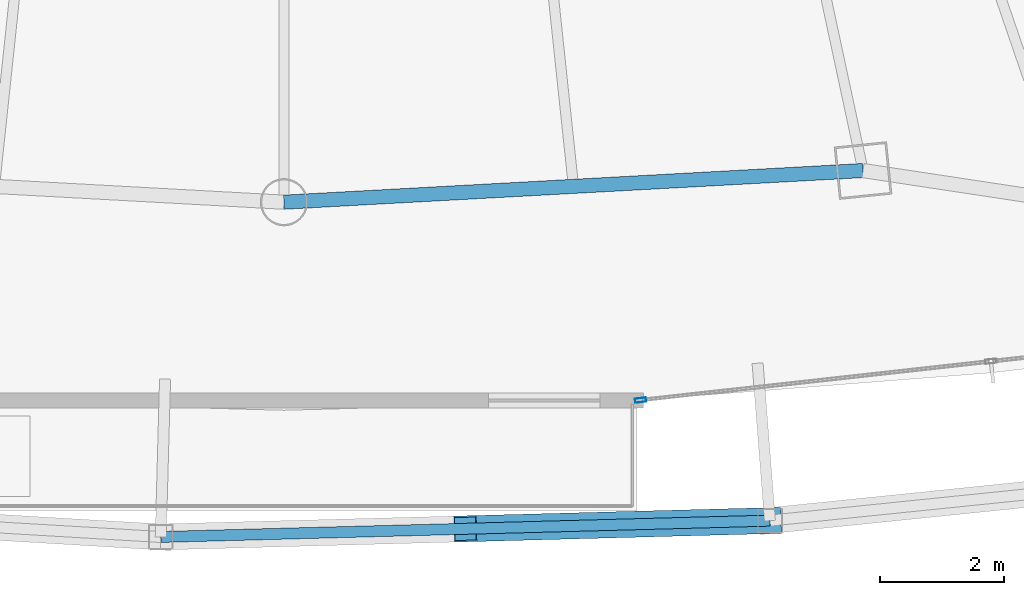
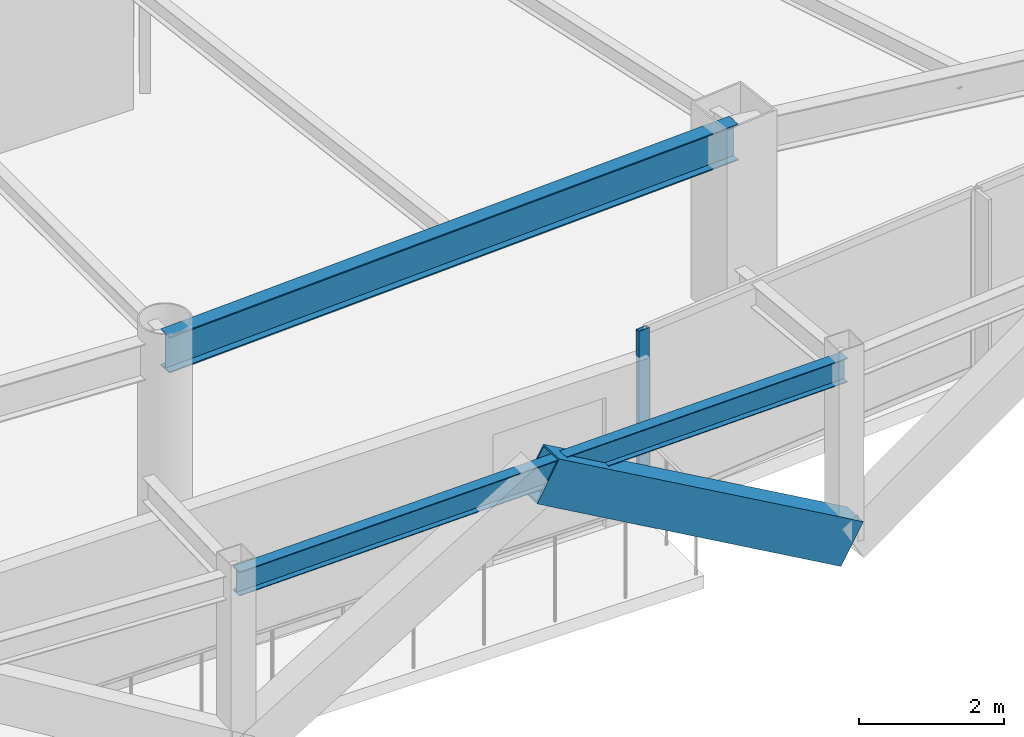
# One storey, part 8 of 31: 2 beams, 2 members, 1 element without a shape of its own.
"""IFC4 building model written with IfcOpenShell, lengths in metres."""

from ifc_helpers import new_model, si_unit, direction, frame, origin, origin_2d, place, context, subcontext, project, spatial, hollow_rectangle, i_section, extrude, material, layer, layer_set, material_profile, profile_set, type_object, element, aggregate, save


model = new_model("IFC4")

# Units and contexts
model_context = context("Model", 3, precision=1e-05, world=origin(), true_north=direction((0.0, 1.0)))
body_context = subcontext(model_context, "Body", "Model", "MODEL_VIEW")
ifc_project = project(units=[si_unit("LENGTHUNIT", "METRE"), si_unit("AREAUNIT", "SQUARE_METRE"), si_unit("VOLUMEUNIT", "CUBIC_METRE"), si_unit("PLANEANGLEUNIT", "RADIAN"), si_unit("MASSUNIT", "GRAM", prefix="KILO")], contexts=[model_context])

# Site, building, storey
site_placement = place(None, origin())
site = spatial("IfcSite", under=ifc_project, at=site_placement, CompositionType="ELEMENT")
building_placement = place(site_placement, origin())
building = spatial("IfcBuilding", under=site, at=building_placement, Name="Orvanel Arch Residences", CompositionType="ELEMENT")
storey_placement = place(building_placement, frame((0.0, 0.0, 150.64990234375)))
storey = spatial("IfcBuildingStorey", under=building, at=storey_placement, Name="L42", CompositionType="ELEMENT", Elevation=150.64990234375)

# Member
ifc_material_1 = material(Name="Structural steel AS/NZS 3678 Grade 350", Category="steel")
ifc_material_profile_1 = material_profile(ifc_material_1, hollow_rectangle(XDim=0.419921875, YDim=0.719970703125, WallThickness=0.02490234375, at=origin_2d()), Name="RHS720x420x25")
ifc_profile_set_1 = profile_set([ifc_material_profile_1], Name="Structural steel AS/NZS 3678 Grade 350")
member_type_1 = type_object("IfcMemberType", Name="BR-720RHS-EXT", PredefinedType="BRACE", material=ifc_profile_set_1)
member_1_placement = place(storey_placement, frame((40.846923828125, 1.701904296875, 0.0), z_axis=(-0.864479252816, -0.023169485632, 0.502134241399), x_axis=(0.02679204663, -0.999641028688, 0.0)))
element("IfcMember", 1, at=member_1_placement, inside=storey, type_object=member_type_1, Name="L42 Exterior Sky-Garden V-Frame Chevron F2B2.2", PredefinedType="BRACE", context=body_context, shape_type="SweptSolid", body=[
    extrude(hollow_rectangle(XDim=0.419921875, YDim=0.719970703125, WallThickness=0.02490234375, at=origin_2d()), origin(), (0.0, 0.0, 1.0), 5.690185546875),
])

# Curtain wall, member
ifc_material_2 = material(Name="Bronze-anodised aluminium AA6063-T6", Category="aluminium")
ifc_layer = layer(ifc_material_2, 0.179931640625)
ifc_layer_set = layer_set([ifc_layer], Name="Bronze-anodised aluminium AA6063-T6")
curtain_wall_type = type_object("IfcCurtainWallType", Name="CW3-MID-SYS", PredefinedType="NOTDEFINED", material=ifc_layer_set)
curtain_wall_placement = place(storey_placement, origin())
curtain_wall = element("IfcCurtainWall", 2, at=curtain_wall_placement, inside=storey, type_object=curtain_wall_type, Name="L42 CW3-MID-SYS Unitised Curtain Wall", PredefinedType="NOTDEFINED")
ifc_material_profile_2 = material_profile(ifc_material_2, hollow_rectangle(XDim=0.070068359375, YDim=0.179931640625, WallThickness=0.00439453125, at=origin_2d()), Name="ALU180x70x4.5")
ifc_profile_set_2 = profile_set([ifc_material_profile_2], Name="Bronze-anodised aluminium AA6063-T6")
member_type_2 = type_object("IfcMemberType", Name="MUL-180x70", PredefinedType="MULLION", material=ifc_profile_set_2)
member_2_placement = place(storey_placement, frame((38.7587890625, 3.64697265625, 0.0), z_axis=(0.0, 0.0, 1.0), x_axis=(-0.110374021666, 0.993890122368, 0.0)))
member_2 = element("IfcMember", 3, at=member_2_placement, type_object=member_type_2, Name="CW-S3 mullion 1", PredefinedType="MULLION", context=body_context, shape_type="SweptSolid", body=[
    extrude(hollow_rectangle(XDim=0.070068359375, YDim=0.179931640625, WallThickness=0.00439453125, at=origin_2d()), origin(), (0.0, 0.0, 1.0), 3.06005859375),
])
aggregate(curtain_wall, [member_2])

# Beams
ifc_material_3 = material(Name="Structural steel AS/NZS 3679.1 Grade 300 (300 MPa)", Category="steel")
ifc_material_profile_3 = material_profile(ifc_material_3, i_section(OverallWidth=0.177978515625, OverallDepth=0.406005859375, WebThickness=0.0078125, FlangeThickness=0.0126953125, at=origin_2d()), Name="410UB59.7")
ifc_profile_set_3 = profile_set([ifc_material_profile_3], Name="Structural steel AS/NZS 3679.1 Grade 300 (300 MPa)")
beam_type_1 = type_object("IfcBeamType", Name="OB-410UB-EXT", PredefinedType="SPANDREL", material=ifc_profile_set_3)
beam_1_placement = place(storey_placement, frame((31.010009765625, 1.43798828125, 2.857177734375), z_axis=(0.999640292607, 0.026819496583, 0.0), x_axis=(-0.026819496583, 0.999640292607, 0.0)))
element("IfcBeam", 4, at=beam_1_placement, inside=storey, type_object=beam_type_1, Name="L42 Outer Perimeter Floor Ring Beam 06", PredefinedType="SPANDREL", context=body_context, shape_type="SweptSolid", body=[
    extrude(i_section(OverallWidth=0.177978515625, OverallDepth=0.406005859375, WebThickness=0.0078125, FlangeThickness=0.0126953125, at=origin_2d()), origin(), (0.0, 0.0, 1.0), 9.84033203125),
])
ifc_material_profile_4 = material_profile(ifc_material_3, i_section(OverallWidth=0.22900390625, OverallDepth=0.612060546875, WebThickness=0.011962890625, FlangeThickness=0.01953125, at=origin_2d()), Name="610UB125")
ifc_profile_set_4 = profile_set([ifc_material_profile_4], Name="Structural steel AS/NZS 3679.1 Grade 300 (300 MPa)")
beam_type_2 = type_object("IfcBeamType", Name="SP-610UB", PredefinedType="SPANDREL", material=ifc_profile_set_4)
beam_2_placement = place(storey_placement, frame((33.0, 6.843994140625, 2.754150390625), z_axis=(0.998510315598, 0.054563262768, 0.0), x_axis=(-0.054563262768, 0.998510315598, 0.0)))
element("IfcBeam", 5, at=beam_2_placement, inside=storey, type_object=beam_type_2, Name="L42 Perimeter Spandrel Beam 06", PredefinedType="SPANDREL", context=body_context, shape_type="SweptSolid", body=[
    extrude(i_section(OverallWidth=0.22900390625, OverallDepth=0.612060546875, WebThickness=0.011962890625, FlangeThickness=0.01953125, at=origin_2d()), origin(), (0.0, 0.0, 1.0), 9.364990234375),
])

save(model, "model.ifc")
